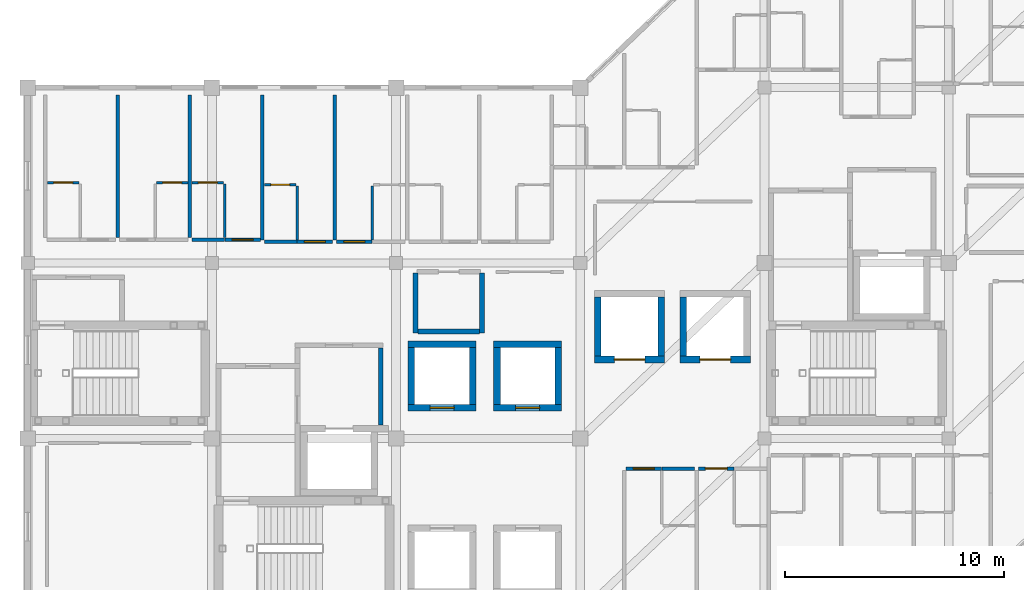
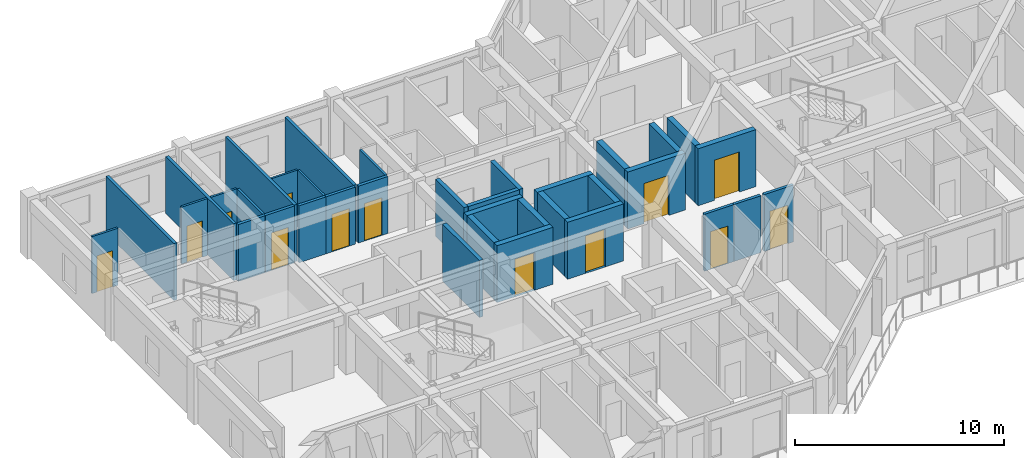
# One storey, part 7 of 15: 36 walls, 13 doors, 13 openings.
"""IFC4 building model written with IfcOpenShell, lengths in metres."""

from ifc_helpers import new_model, si_unit, direction, frame, frame_2d, origin, place, context, subcontext, project, spatial, rectangle, extrude, material, layer, layer_set, type_object, element, fill, save


model = new_model("IFC4")

# Units and contexts
model_context = context("Model", 3, precision=1e-05, world=origin(), true_north=direction((0.0, 1.0)))
body_context = subcontext(model_context, "Body", "Model", "MODEL_VIEW")
ifc_project = project(units=[si_unit("LENGTHUNIT", "METRE"), si_unit("AREAUNIT", "SQUARE_METRE"), si_unit("VOLUMEUNIT", "CUBIC_METRE"), si_unit("PLANEANGLEUNIT", "RADIAN"), si_unit("MASSUNIT", "GRAM", prefix="KILO")], contexts=[model_context])

# Site, building, storey
site_placement = place(None, origin())
site = spatial("IfcSite", under=ifc_project, at=site_placement, CompositionType="ELEMENT")
building_placement = place(site_placement, origin())
building = spatial("IfcBuilding", under=site, at=building_placement, Name="Naruveol Harbour Congress Hotel", CompositionType="ELEMENT")
storey_placement = place(building_placement, frame((0.0, 0.0, 32.39990234375)))
storey = spatial("IfcBuildingStorey", under=building, at=storey_placement, Name="L07", CompositionType="ELEMENT", Elevation=32.39990234375)

# Wall, opening, door
ifc_material_1 = material(Name="Moisture-Resistant Gypsum Partition", Category="gypsum")
ifc_layer_1 = layer(ifc_material_1, 0.114990234375)
ifc_layer_set_1 = layer_set([ifc_layer_1], Name="Moisture-Resistant Gypsum Partition")
wall_type_1 = type_object("IfcWallType", Name="BATHROOM MOISTURE PARTITION WALL 115", PredefinedType="PARTITIONING", material=ifc_layer_set_1)
wall_1_placement = place(storey_placement, frame((118.5, 27.669921875, 0.0), z_axis=(0.0, 0.0, 1.0), x_axis=(1.0, 0.0, 0.0)))
wall_1 = element("IfcWall", 1, at=wall_1_placement, inside=storey, type_object=wall_type_1, Name="Bathroom north wall 0804 PW-115", PredefinedType="PARTITIONING", context=body_context, shape_type="SweptSolid", body=[
    extrude(rectangle(XDim=1.429931640625, YDim=0.114990234375, at=frame_2d((0.71484375, 0.0))), origin(), (0.0, 0.0, 1.0), 3.335205078125),
])
opening_1_placement = place(wall_1_placement, frame((0.284912109375, 0.0, 0.0)))
opening_1 = element("IfcOpeningElement", 2, at=opening_1_placement, cuts=wall_1, Name="Opening BD-RM0804", PredefinedType="OPENING", context=body_context, shape_type="SweptSolid", body=[
    extrude(rectangle(XDim=0.860107421875, YDim=2.1201171875, at=frame_2d((0.43017578125, 1.06005859375))), frame((0.0, 0.0673828125, 0.0), z_axis=(0.0, -1.0, 0.0), x_axis=(1.0, 0.0, 0.0)), (0.0, 0.0, 1.0), 0.135009765625),
])
ifc_material_2 = material(Name="Timber & Steel Acoustic Leaf", Category="steel")
door_type_1 = type_object("IfcDoorType", Name="GUEST BATHROOM DOOR 860X2120", OperationType="NOTDEFINED", PredefinedType="DOOR", material=ifc_material_2)
door_1_placement = place(opening_1_placement, origin())
door_1 = element("IfcDoor", 3, at=door_1_placement, inside=storey, type_object=door_type_1, Name="Bathroom Door 0804", OperationType="SINGLE_SWING_RIGHT", OverallHeight=2.1201171875, OverallWidth=0.860107421875, PredefinedType="DOOR", context=body_context, shape_type="SweptSolid", body=[
    extrude(rectangle(XDim=0.860107421875, YDim=2.1201171875, at=frame_2d((0.43017578125, 1.06005859375))), frame((0.0, 0.02490234375, 0.0), z_axis=(0.0, -1.0, 0.0), x_axis=(1.0, 0.0, 0.0)), (0.0, 0.0, 1.0), 0.050048828125),
])
fill(opening_1, door_1)

wall_2_placement = place(storey_placement, frame((123.469970703125, 27.669921875, 0.0), z_axis=(0.0, 0.0, 1.0), x_axis=(1.0, 0.0, 0.0)))
wall_2 = element("IfcWall", 4, at=wall_2_placement, inside=storey, type_object=wall_type_1, Name="Bathroom north wall 0805 PW-115", PredefinedType="PARTITIONING", context=body_context, shape_type="SweptSolid", body=[
    extrude(rectangle(XDim=1.429931640625, YDim=0.114990234375, at=frame_2d((0.71484375, 0.0))), origin(), (0.0, 0.0, 1.0), 3.335205078125),
])
opening_2_placement = place(wall_2_placement, frame((0.284912109375, 0.0, 0.0)))
opening_2 = element("IfcOpeningElement", 5, at=opening_2_placement, cuts=wall_2, Name="Opening BD-RM0805", PredefinedType="OPENING", context=body_context, shape_type="SweptSolid", body=[
    extrude(rectangle(XDim=0.860107421875, YDim=2.1201171875, at=frame_2d((0.43017578125, 1.06005859375))), frame((0.0, 0.0673828125, 0.0), z_axis=(0.0, -1.0, 0.0), x_axis=(1.0, 0.0, 0.0)), (0.0, 0.0, 1.0), 0.135009765625),
])
door_2_placement = place(opening_2_placement, origin())
door_2 = element("IfcDoor", 6, at=door_2_placement, inside=storey, type_object=door_type_1, Name="Bathroom Door 0805", OperationType="SINGLE_SWING_RIGHT", OverallHeight=2.1201171875, OverallWidth=0.860107421875, PredefinedType="DOOR", context=body_context, shape_type="SweptSolid", body=[
    extrude(rectangle(XDim=0.860107421875, YDim=2.1201171875, at=frame_2d((0.43017578125, 1.06005859375))), frame((0.0, 0.02490234375, 0.0), z_axis=(0.0, -1.0, 0.0), x_axis=(1.0, 0.0, 0.0)), (0.0, 0.0, 1.0), 0.050048828125),
])
fill(opening_2, door_2)

# Wall
wall_3_placement = place(storey_placement, frame((126.590087890625, 25.159912109375, 0.0), z_axis=(0.0, 0.0, 1.0), x_axis=(0.0, 1.0, 0.0)))
element("IfcWall", 7, at=wall_3_placement, inside=storey, type_object=wall_type_1, Name="Bathroom east wall 0806 PW-115", PredefinedType="PARTITIONING", context=body_context, shape_type="SweptSolid", body=[
    extrude(rectangle(XDim=2.4501953125, YDim=0.114990234375, at=frame_2d((1.22509765625, 0.0))), origin(), (0.0, 0.0, 1.0), 3.335205078125),
])

# Wall, opening, door
wall_4_placement = place(storey_placement, frame((125.10009765625, 27.669921875, 0.0), z_axis=(0.0, 0.0, 1.0), x_axis=(1.0, 0.0, 0.0)))
wall_4 = element("IfcWall", 8, at=wall_4_placement, inside=storey, type_object=wall_type_1, Name="Bathroom north wall 0806 PW-115", PredefinedType="PARTITIONING", context=body_context, shape_type="SweptSolid", body=[
    extrude(rectangle(XDim=1.429931640625, YDim=0.114990234375, at=frame_2d((0.71484375, 0.0))), origin(), (0.0, 0.0, 1.0), 3.335205078125),
])
opening_3_placement = place(wall_4_placement, frame((0.284912109375, 0.0, 0.0)))
opening_3 = element("IfcOpeningElement", 9, at=opening_3_placement, cuts=wall_4, Name="Opening BD-RM0806", PredefinedType="OPENING", context=body_context, shape_type="SweptSolid", body=[
    extrude(rectangle(XDim=0.860107421875, YDim=2.1201171875, at=frame_2d((0.43017578125, 1.06005859375))), frame((0.0, 0.0673828125, 0.0), z_axis=(0.0, -1.0, 0.0), x_axis=(1.0, 0.0, 0.0)), (0.0, 0.0, 1.0), 0.135009765625),
])
door_3_placement = place(opening_3_placement, origin())
door_3 = element("IfcDoor", 10, at=door_3_placement, inside=storey, type_object=door_type_1, Name="Bathroom Door 0806", OperationType="SINGLE_SWING_RIGHT", OverallHeight=2.1201171875, OverallWidth=0.860107421875, PredefinedType="DOOR", context=body_context, shape_type="SweptSolid", body=[
    extrude(rectangle(XDim=0.860107421875, YDim=2.1201171875, at=frame_2d((0.43017578125, 1.06005859375))), frame((0.0, 0.02490234375, 0.0), z_axis=(0.0, -1.0, 0.0), x_axis=(1.0, 0.0, 0.0)), (0.0, 0.0, 1.0), 0.050048828125),
])
fill(opening_3, door_3)

# Wall
wall_5_placement = place(storey_placement, frame((129.889892578125, 25.06005859375, 0.0), z_axis=(0.0, 0.0, 1.0), x_axis=(0.0, 1.0, 0.0)))
element("IfcWall", 11, at=wall_5_placement, inside=storey, type_object=wall_type_1, Name="Bathroom east wall 0807 PW-115", PredefinedType="PARTITIONING", context=body_context, shape_type="SweptSolid", body=[
    extrude(rectangle(XDim=2.449951171875, YDim=0.114990234375, at=frame_2d((1.22509765625, 0.0))), origin(), (0.0, 0.0, 1.0), 3.335205078125),
])

# Wall, opening, door
wall_6_placement = place(storey_placement, frame((128.39990234375, 27.570068359375, 0.0), z_axis=(0.0, 0.0, 1.0), x_axis=(1.0, 0.0, 0.0)))
wall_6 = element("IfcWall", 12, at=wall_6_placement, inside=storey, type_object=wall_type_1, Name="Bathroom north wall 0807 PW-115", PredefinedType="PARTITIONING", context=body_context, shape_type="SweptSolid", body=[
    extrude(rectangle(XDim=1.43017578125, YDim=0.114990234375, at=frame_2d((0.715087890625, 0.0))), origin(), (0.0, 0.0, 1.0), 3.335205078125),
])
opening_4_placement = place(wall_6_placement, frame((0.284912109375, 0.0, 0.0)))
opening_4 = element("IfcOpeningElement", 13, at=opening_4_placement, cuts=wall_6, Name="Opening BD-RM0807", PredefinedType="OPENING", context=body_context, shape_type="SweptSolid", body=[
    extrude(rectangle(XDim=0.860107421875, YDim=2.1201171875, at=frame_2d((0.43017578125, 1.06005859375))), frame((0.0, 0.0673828125, 0.0), z_axis=(0.0, -1.0, 0.0), x_axis=(1.0, 0.0, 0.0)), (0.0, 0.0, 1.0), 0.135009765625),
])
door_4_placement = place(opening_4_placement, origin())
door_4 = element("IfcDoor", 14, at=door_4_placement, inside=storey, type_object=door_type_1, Name="Bathroom Door 0807", OperationType="SINGLE_SWING_RIGHT", OverallHeight=2.1201171875, OverallWidth=0.860107421875, PredefinedType="DOOR", context=body_context, shape_type="SweptSolid", body=[
    extrude(rectangle(XDim=0.860107421875, YDim=2.1201171875, at=frame_2d((0.43017578125, 1.06005859375))), frame((0.0, 0.02490234375, 0.0), z_axis=(0.0, -1.0, 0.0), x_axis=(1.0, 0.0, 0.0)), (0.0, 0.0, 1.0), 0.050048828125),
])
fill(opening_4, door_4)

# Walls
wall_7_placement = place(storey_placement, frame((133.31005859375, 25.06005859375, 0.0), z_axis=(0.0, 0.0, 1.0), x_axis=(0.0, 1.0, 0.0)))
element("IfcWall", 15, at=wall_7_placement, inside=storey, type_object=wall_type_1, Name="Bathroom west wall 0808 PW-115", PredefinedType="PARTITIONING", context=body_context, shape_type="SweptSolid", body=[
    extrude(rectangle(XDim=2.449951171875, YDim=0.114990234375, at=frame_2d((1.22509765625, 0.0))), origin(), (0.0, 0.0, 1.0), 3.335205078125),
])
ifc_material_3 = material(Name="Concrete C40/50", Category="concrete")
ifc_layer_2 = layer(ifc_material_3, 0.219970703125)
ifc_layer_set_2 = layer_set([ifc_layer_2], Name="Concrete C40/50")
wall_type_2 = type_object("IfcWallType", Name="FIRE COMPARTMENT AND LOBBY WALL 220 EI120", PredefinedType="PARTITIONING", material=ifc_layer_set_2)
wall_8_placement = place(storey_placement, frame((133.699951171875, 16.60498046875, 0.0), z_axis=(0.0, 0.0, 1.0), x_axis=(0.0, 1.0, 0.0)))
element("IfcWall", 16, at=wall_8_placement, inside=storey, type_object=wall_type_2, Name="Firefighting lift lobby ST1 east wall FW-220", PredefinedType="PARTITIONING", context=body_context, shape_type="SweptSolid", body=[
    extrude(rectangle(XDim=3.530029296875, YDim=0.219970703125, at=frame_2d((1.76513671875, 0.0))), origin(), (0.0, 0.0, 1.0), 3.335205078125),
])
for number, where, z_axis, x_axis, name in (
    (17, (135.280029296875, 20.800048828125, 0.0), (0.0, 0.0, 1.0), (0.0, 1.0, 0.0), "Housekeeping Pantry west enclosure partition FW-220"),
    (18, (138.320068359375, 20.800048828125, 0.0), (0.0, 0.0, 1.0), (0.0, 1.0, 0.0), "Housekeeping Pantry east enclosure partition FW-220"),
):
    element("IfcWall", number, at=place(storey_placement, frame(where, z_axis=z_axis, x_axis=x_axis)), inside=storey, type_object=wall_type_2, Name=name, PredefinedType="PARTITIONING", context=body_context, shape_type="SweptSolid", body=[
        extrude(rectangle(XDim=2.748046875, YDim=0.219970703125, at=frame_2d((1.3740234375, 0.0))), origin(), (0.0, 0.0, 1.0), 3.335205078125),
    ])
wall_9_placement = place(storey_placement, frame((135.389892578125, 20.8798828125, 0.0), z_axis=(0.0, 0.0, 1.0), x_axis=(1.0, 0.0, 0.0)))
element("IfcWall", 19, at=wall_9_placement, inside=storey, type_object=wall_type_2, Name="Housekeeping Pantry south enclosure partition FW-220", PredefinedType="PARTITIONING", context=body_context, shape_type="SweptSolid", body=[
    extrude(rectangle(XDim=2.820068359375, YDim=0.219970703125, at=frame_2d((1.41015625, 0.0))), origin(), (0.0, 0.0, 1.0), 3.335205078125),
])
ifc_material_4 = material(Name="Autoclaved Aerated Concrete Block", Category="concrete")
ifc_layer_3 = layer(ifc_material_4, 0.159912109375)
ifc_layer_set_3 = layer_set([ifc_layer_3], Name="Autoclaved Aerated Concrete Block")
wall_type_3 = type_object("IfcWallType", Name="HOTEL PARTY AND CORRIDOR WALL 160 EI60", PredefinedType="PARTITIONING", material=ifc_layer_set_3)
wall_10_placement = place(storey_placement, frame((121.699951171875, 25.159912109375, 0.0), z_axis=(0.0, 0.0, 1.0), x_axis=(0.0, 1.0, 0.0)))
element("IfcWall", 20, at=wall_10_placement, inside=storey, type_object=wall_type_3, Name="Hotel party wall 0805 PW-160", PredefinedType="PARTITIONING", context=body_context, shape_type="SweptSolid", body=[
    extrude(rectangle(XDim=6.5, YDim=0.159912109375, at=frame_2d((3.25, 0.0))), origin(), (0.0, 0.0, 1.0), 3.335205078125),
])
wall_11_placement = place(storey_placement, frame((125.090087890625, 25.070068359375, 0.0), z_axis=(0.0, 0.0, 1.0), x_axis=(1.0, 0.0, 0.0)))
element("IfcWall", 21, at=wall_11_placement, inside=storey, type_object=wall_type_3, Name="Corridor wall 0806B PW-160", PredefinedType="PARTITIONING", context=body_context, shape_type="SweptSolid", body=[
    extrude(rectangle(XDim=1.489990234375, YDim=0.159912109375, at=frame_2d((0.7451171875, 0.0))), origin(), (0.0, 0.0, 1.0), 3.335205078125),
])

# Wall, opening, door
wall_12_placement = place(storey_placement, frame((126.590087890625, 25.070068359375, 0.0), z_axis=(0.0, 0.0, 1.0), x_axis=(1.0, 0.0, 0.0)))
wall_12 = element("IfcWall", 22, at=wall_12_placement, inside=storey, type_object=wall_type_3, Name="Corridor entry wall 0806 PW-160", PredefinedType="PARTITIONING", context=body_context, shape_type="SweptSolid", body=[
    extrude(rectangle(XDim=1.619873046875, YDim=0.159912109375, at=frame_2d((0.81005859375, 0.0))), origin(), (0.0, 0.0, 1.0), 3.335205078125),
])
opening_5_placement = place(wall_12_placement, frame((0.330078125, 0.0, 0.0)))
opening_5 = element("IfcOpeningElement", 23, at=opening_5_placement, cuts=wall_12, Name="Opening FD-RM0806", PredefinedType="OPENING", context=body_context, shape_type="SweptSolid", body=[
    extrude(rectangle(XDim=0.9599609375, YDim=2.199951171875, at=frame_2d((0.47998046875, 1.10009765625))), frame((0.0, 0.08984375, 0.0), z_axis=(0.0, -1.0, 0.0), x_axis=(1.0, 0.0, 0.0)), (0.0, 0.0, 1.0), 0.179931640625),
])
ifc_material_5 = material(Name="Timber & Steel Acoustic Leaf", Category="steel")
door_type_2 = type_object("IfcDoorType", Name="GUEST ROOM ENTRANCE FIRE DOOR 960X2200", OperationType="NOTDEFINED", PredefinedType="DOOR", material=ifc_material_5)
door_5_placement = place(opening_5_placement, origin())
door_5 = element("IfcDoor", 24, at=door_5_placement, inside=storey, type_object=door_type_2, Name="Hotel Room Door 0806", OperationType="SINGLE_SWING_LEFT", OverallHeight=2.199951171875, OverallWidth=0.9599609375, PredefinedType="DOOR", context=body_context, shape_type="SweptSolid", body=[
    extrude(rectangle(XDim=0.9599609375, YDim=2.199951171875, at=frame_2d((0.47998046875, 1.10009765625))), frame((0.0, 0.02490234375, 0.0), z_axis=(0.0, -1.0, 0.0), x_axis=(1.0, 0.0, 0.0)), (0.0, 0.0, 1.0), 0.050048828125),
])
fill(opening_5, door_5)

# Walls
wall_13_placement = place(storey_placement, frame((125.0, 25.159912109375, 0.0), z_axis=(0.0, 0.0, 1.0), x_axis=(0.0, 1.0, 0.0)))
element("IfcWall", 25, at=wall_13_placement, inside=storey, type_object=wall_type_3, Name="Hotel party wall 0806 PW-160", PredefinedType="PARTITIONING", context=body_context, shape_type="SweptSolid", body=[
    extrude(rectangle(XDim=6.5, YDim=0.159912109375, at=frame_2d((3.25, 0.0))), origin(), (0.0, 0.0, 1.0), 3.335205078125),
])
wall_14_placement = place(storey_placement, frame((128.389892578125, 24.969970703125, 0.0), z_axis=(0.0, 0.0, 1.0), x_axis=(1.0, 0.0, 0.0)))
element("IfcWall", 26, at=wall_14_placement, inside=storey, type_object=wall_type_3, Name="Corridor wall 0807B PW-160", PredefinedType="PARTITIONING", context=body_context, shape_type="SweptSolid", body=[
    extrude(rectangle(XDim=1.489990234375, YDim=0.159912109375, at=frame_2d((0.7451171875, 0.0))), origin(), (0.0, 0.0, 1.0), 3.335205078125),
])

# Wall, opening, door
wall_15_placement = place(storey_placement, frame((129.889892578125, 24.969970703125, 0.0), z_axis=(0.0, 0.0, 1.0), x_axis=(1.0, 0.0, 0.0)))
wall_15 = element("IfcWall", 27, at=wall_15_placement, inside=storey, type_object=wall_type_3, Name="Corridor entry wall 0807 PW-160", PredefinedType="PARTITIONING", context=body_context, shape_type="SweptSolid", body=[
    extrude(rectangle(XDim=1.6201171875, YDim=0.159912109375, at=frame_2d((0.81005859375, 0.0))), origin(), (0.0, 0.0, 1.0), 3.335205078125),
])
opening_6_placement = place(wall_15_placement, frame((0.330078125, 0.0, 0.0)))
opening_6 = element("IfcOpeningElement", 28, at=opening_6_placement, cuts=wall_15, Name="Opening FD-RM0807", PredefinedType="OPENING", context=body_context, shape_type="SweptSolid", body=[
    extrude(rectangle(XDim=0.9599609375, YDim=2.199951171875, at=frame_2d((0.47998046875, 1.10009765625))), frame((0.0, 0.08984375, 0.0), z_axis=(0.0, -1.0, 0.0), x_axis=(1.0, 0.0, 0.0)), (0.0, 0.0, 1.0), 0.179931640625),
])
door_6_placement = place(opening_6_placement, origin())
door_6 = element("IfcDoor", 29, at=door_6_placement, inside=storey, type_object=door_type_2, Name="Hotel Room Door 0807", OperationType="SINGLE_SWING_LEFT", OverallHeight=2.199951171875, OverallWidth=0.9599609375, PredefinedType="DOOR", context=body_context, shape_type="SweptSolid", body=[
    extrude(rectangle(XDim=0.9599609375, YDim=2.199951171875, at=frame_2d((0.47998046875, 1.10009765625))), frame((0.0, 0.02490234375, 0.0), z_axis=(0.0, -1.0, 0.0), x_axis=(1.0, 0.0, 0.0)), (0.0, 0.0, 1.0), 0.050048828125),
])
fill(opening_6, door_6)

# Wall
wall_16_placement = place(storey_placement, frame((128.300048828125, 25.06005859375, 0.0), z_axis=(0.0, 0.0, 1.0), x_axis=(0.0, 1.0, 0.0)))
element("IfcWall", 30, at=wall_16_placement, inside=storey, type_object=wall_type_3, Name="Hotel party wall 0807 PW-160", PredefinedType="PARTITIONING", context=body_context, shape_type="SweptSolid", body=[
    extrude(rectangle(XDim=6.599853515625, YDim=0.159912109375, at=frame_2d((3.2998046875, 0.0))), origin(), (0.0, 0.0, 1.0), 3.335205078125),
])

# Wall, opening, door
wall_17_placement = place(storey_placement, frame((131.68994140625, 24.969970703125, 0.0), z_axis=(0.0, 0.0, 1.0), x_axis=(1.0, 0.0, 0.0)))
wall_17 = element("IfcWall", 31, at=wall_17_placement, inside=storey, type_object=wall_type_3, Name="Corridor entry wall 0808 PW-160", PredefinedType="PARTITIONING", context=body_context, shape_type="SweptSolid", body=[
    extrude(rectangle(XDim=1.6201171875, YDim=0.159912109375, at=frame_2d((0.81005859375, 0.0))), origin(), (0.0, 0.0, 1.0), 3.335205078125),
])
opening_7_placement = place(wall_17_placement, frame((0.330078125, 0.0, 0.0)))
opening_7 = element("IfcOpeningElement", 32, at=opening_7_placement, cuts=wall_17, Name="Opening FD-RM0808", PredefinedType="OPENING", context=body_context, shape_type="SweptSolid", body=[
    extrude(rectangle(XDim=0.9599609375, YDim=2.199951171875, at=frame_2d((0.47998046875, 1.10009765625))), frame((0.0, 0.08984375, 0.0), z_axis=(0.0, -1.0, 0.0), x_axis=(1.0, 0.0, 0.0)), (0.0, 0.0, 1.0), 0.179931640625),
])
door_7_placement = place(opening_7_placement, origin())
door_7 = element("IfcDoor", 33, at=door_7_placement, inside=storey, type_object=door_type_2, Name="Hotel Room Door 0808", OperationType="SINGLE_SWING_LEFT", OverallHeight=2.199951171875, OverallWidth=0.9599609375, PredefinedType="DOOR", context=body_context, shape_type="SweptSolid", body=[
    extrude(rectangle(XDim=0.9599609375, YDim=2.199951171875, at=frame_2d((0.47998046875, 1.10009765625))), frame((0.0, 0.02490234375, 0.0), z_axis=(0.0, -1.0, 0.0), x_axis=(1.0, 0.0, 0.0)), (0.0, 0.0, 1.0), 0.050048828125),
])
fill(opening_7, door_7)

# Wall
wall_18_placement = place(storey_placement, frame((131.60009765625, 25.06005859375, 0.0), z_axis=(0.0, 0.0, 1.0), x_axis=(0.0, 1.0, 0.0)))
element("IfcWall", 34, at=wall_18_placement, inside=storey, type_object=wall_type_3, Name="Hotel party wall 0808 PW-160", PredefinedType="PARTITIONING", context=body_context, shape_type="SweptSolid", body=[
    extrude(rectangle(XDim=6.599853515625, YDim=0.159912109375, at=frame_2d((3.2998046875, 0.0))), origin(), (0.0, 0.0, 1.0), 3.335205078125),
])

# Wall, opening, door
wall_19_placement = place(storey_placement, frame((144.889892578125, 14.6298828125, 0.0), z_axis=(0.0, 0.0, 1.0), x_axis=(1.0, 0.0, 0.0)))
wall_19 = element("IfcWall", 35, at=wall_19_placement, inside=storey, type_object=wall_type_3, Name="Corridor entry wall 0895 PW-160", PredefinedType="PARTITIONING", context=body_context, shape_type="SweptSolid", body=[
    extrude(rectangle(XDim=1.6201171875, YDim=0.159912109375, at=frame_2d((0.81005859375, 0.0))), origin(), (0.0, 0.0, 1.0), 3.335205078125),
])
opening_8_placement = place(wall_19_placement, frame((0.330078125, 0.0, 0.0)))
opening_8 = element("IfcOpeningElement", 36, at=opening_8_placement, cuts=wall_19, Name="Opening FD-RM0895", PredefinedType="OPENING", context=body_context, shape_type="SweptSolid", body=[
    extrude(rectangle(XDim=0.9599609375, YDim=2.199951171875, at=frame_2d((0.47998046875, 1.10009765625))), frame((0.0, 0.08984375, 0.0), z_axis=(0.0, -1.0, 0.0), x_axis=(1.0, 0.0, 0.0)), (0.0, 0.0, 1.0), 0.179931640625),
])
door_8_placement = place(opening_8_placement, origin())
door_8 = element("IfcDoor", 37, at=door_8_placement, inside=storey, type_object=door_type_2, Name="Hotel Room Door 0895", OperationType="SINGLE_SWING_LEFT", OverallHeight=2.199951171875, OverallWidth=0.9599609375, PredefinedType="DOOR", context=body_context, shape_type="SweptSolid", body=[
    extrude(rectangle(XDim=0.9599609375, YDim=2.199951171875, at=frame_2d((0.47998046875, 1.10009765625))), frame((0.0, 0.02490234375, 0.0), z_axis=(0.0, -1.0, 0.0), x_axis=(1.0, 0.0, 0.0)), (0.0, 0.0, 1.0), 0.050048828125),
])
fill(opening_8, door_8)

# Wall
wall_20_placement = place(storey_placement, frame((146.52001953125, 14.6298828125, 0.0), z_axis=(0.0, 0.0, 1.0), x_axis=(1.0, 0.0, 0.0)))
element("IfcWall", 38, at=wall_20_placement, inside=storey, type_object=wall_type_3, Name="Corridor wall 0895B PW-160", PredefinedType="PARTITIONING", context=body_context, shape_type="SweptSolid", body=[
    extrude(rectangle(XDim=1.489990234375, YDim=0.159912109375, at=frame_2d((0.7451171875, 0.0))), origin(), (0.0, 0.0, 1.0), 3.335205078125),
])

# Wall, opening, door
wall_21_placement = place(storey_placement, frame((148.18994140625, 14.6298828125, 0.0), z_axis=(0.0, 0.0, 1.0), x_axis=(1.0, 0.0, 0.0)))
wall_21 = element("IfcWall", 39, at=wall_21_placement, inside=storey, type_object=wall_type_3, Name="Corridor entry wall 0896 PW-160", PredefinedType="PARTITIONING", context=body_context, shape_type="SweptSolid", body=[
    extrude(rectangle(XDim=1.6201171875, YDim=0.159912109375, at=frame_2d((0.81005859375, 0.0))), origin(), (0.0, 0.0, 1.0), 3.335205078125),
])
opening_9_placement = place(wall_21_placement, frame((0.31005859375, 0.0, 0.0)))
opening_9 = element("IfcOpeningElement", 40, at=opening_9_placement, cuts=wall_21, Name="Opening FD-RM0896", PredefinedType="OPENING", context=body_context, shape_type="SweptSolid", body=[
    extrude(rectangle(XDim=1.0, YDim=2.25, at=frame_2d((0.5, 1.125))), frame((0.0, 0.08984375, 0.0), z_axis=(0.0, -1.0, 0.0), x_axis=(1.0, 0.0, 0.0)), (0.0, 0.0, 1.0), 0.179931640625),
])
ifc_material_6 = material(Name="Timber & Steel Acoustic Leaf", Category="steel")
door_type_3 = type_object("IfcDoorType", Name="DELUXE GUEST ENTRANCE FIRE DOOR 1000X2250", OperationType="NOTDEFINED", PredefinedType="DOOR", material=ifc_material_6)
door_9_placement = place(opening_9_placement, origin())
door_9 = element("IfcDoor", 41, at=door_9_placement, inside=storey, type_object=door_type_3, Name="Hotel Room Door 0896", OperationType="SINGLE_SWING_LEFT", OverallHeight=2.25, OverallWidth=1.0, PredefinedType="DOOR", context=body_context, shape_type="SweptSolid", body=[
    extrude(rectangle(XDim=1.0, YDim=2.25, at=frame_2d((0.5, 1.125))), frame((0.0, 0.02490234375, 0.0), z_axis=(0.0, -1.0, 0.0), x_axis=(1.0, 0.0, 0.0)), (0.0, 0.0, 1.0), 0.050048828125),
])
fill(opening_9, door_9)

ifc_material_7 = material(Name="Concrete C50/60", Category="concrete")
ifc_layer_4 = layer(ifc_material_7, 0.300048828125)
ifc_layer_set_4 = layer_set([ifc_layer_4], Name="Concrete C50/60")
wall_type_4 = type_object("IfcWallType", Name="RC STAIR AND HOISTWAY SHEAR WALL 300 EI120", PredefinedType="SHEAR", material=ifc_layer_set_4)
wall_22_placement = place(storey_placement, frame((134.949951171875, 17.39990234375, 0.0), z_axis=(0.0, 0.0, 1.0), x_axis=(1.0, 0.0, 0.0)))
wall_22 = element("IfcWall", 42, at=wall_22_placement, inside=storey, type_object=wall_type_4, Name="Hoistway south shear wall PL1 SW-300", PredefinedType="SHEAR", context=body_context, shape_type="SweptSolid", body=[
    extrude(rectangle(XDim=3.10009765625, YDim=0.300048828125, at=frame_2d((1.550048828125, 0.0))), origin(), (0.0, 0.0, 1.0), 3.335205078125),
])
opening_10_placement = place(wall_22_placement, frame((1.0, 0.0, 0.0)))
opening_10 = element("IfcOpeningElement", 43, at=opening_10_placement, cuts=wall_22, Name="Opening LD-PL1-L07", PredefinedType="OPENING", context=body_context, shape_type="SweptSolid", body=[
    extrude(rectangle(XDim=1.10009765625, YDim=2.199951171875, at=frame_2d((0.550048828125, 1.10009765625))), frame((0.0, 0.159912109375, 0.0), z_axis=(0.0, -1.0, 0.0), x_axis=(1.0, 0.0, 0.0)), (0.0, 0.0, 1.0), 0.320068359375),
])
ifc_material_8 = material(Name="Stainless Steel Lift Door", Category="steel")
door_type_4 = type_object("IfcDoorType", Name="PASSENGER LIFT LANDING DOOR 1100X2200", OperationType="DOUBLE_DOOR_SLIDING", PredefinedType="DOOR", material=ifc_material_8)
door_10_placement = place(opening_10_placement, origin())
door_10 = element("IfcDoor", 44, at=door_10_placement, inside=storey, type_object=door_type_4, Name="Elevator Landing Door PL1 L07", OperationType="DOUBLE_DOOR_SLIDING", OverallHeight=2.199951171875, OverallWidth=1.10009765625, PredefinedType="DOOR", context=body_context, shape_type="SweptSolid", body=[
    extrude(rectangle(XDim=1.10009765625, YDim=2.199951171875, at=frame_2d((0.550048828125, 1.10009765625))), frame((0.0, 0.02490234375, 0.0), z_axis=(0.0, -1.0, 0.0), x_axis=(1.0, 0.0, 0.0)), (0.0, 0.0, 1.0), 0.050048828125),
])
fill(opening_10, door_10)

# Walls
wall_23_placement = place(storey_placement, frame((137.89990234375, 17.554931640625, 0.0), z_axis=(0.0, 0.0, 1.0), x_axis=(0.0, 1.0, 0.0)))
element("IfcWall", 45, at=wall_23_placement, inside=storey, type_object=wall_type_4, Name="Hoistway east shear wall PL1 SW-300", PredefinedType="SHEAR", context=body_context, shape_type="SweptSolid", body=[
    extrude(rectangle(XDim=2.590087890625, YDim=0.300048828125, at=frame_2d((1.294921875, 0.0))), origin(), (0.0, 0.0, 1.0), 3.335205078125),
])
wall_24_placement = place(storey_placement, frame((138.050048828125, 20.300048828125, 0.0), z_axis=(0.0, 0.0, 1.0), x_axis=(-1.0, 0.0, 0.0)))
element("IfcWall", 46, at=wall_24_placement, inside=storey, type_object=wall_type_4, Name="Hoistway north shear wall PL1 SW-300", PredefinedType="SHEAR", context=body_context, shape_type="SweptSolid", body=[
    extrude(rectangle(XDim=3.10009765625, YDim=0.300048828125, at=frame_2d((1.550048828125, 0.0))), origin(), (0.0, 0.0, 1.0), 3.335205078125),
])
wall_25_placement = place(storey_placement, frame((135.10009765625, 20.14501953125, 0.0), z_axis=(0.0, 0.0, 1.0), x_axis=(0.0, -1.0, 0.0)))
element("IfcWall", 47, at=wall_25_placement, inside=storey, type_object=wall_type_4, Name="Hoistway west shear wall PL1 SW-300", PredefinedType="SHEAR", context=body_context, shape_type="SweptSolid", body=[
    extrude(rectangle(XDim=2.590087890625, YDim=0.300048828125, at=frame_2d((1.294921875, 0.0))), origin(), (0.0, 0.0, 1.0), 3.335205078125),
])

# Wall, opening, door
wall_26_placement = place(storey_placement, frame((138.85009765625, 17.39990234375, 0.0), z_axis=(0.0, 0.0, 1.0), x_axis=(1.0, 0.0, 0.0)))
wall_26 = element("IfcWall", 48, at=wall_26_placement, inside=storey, type_object=wall_type_4, Name="Hoistway south shear wall PL2 SW-300", PredefinedType="SHEAR", context=body_context, shape_type="SweptSolid", body=[
    extrude(rectangle(XDim=3.099853515625, YDim=0.300048828125, at=frame_2d((1.5498046875, 0.0))), origin(), (0.0, 0.0, 1.0), 3.335205078125),
])
opening_11_placement = place(wall_26_placement, frame((1.0, 0.0, 0.0)))
opening_11 = element("IfcOpeningElement", 49, at=opening_11_placement, cuts=wall_26, Name="Opening LD-PL2-L07", PredefinedType="OPENING", context=body_context, shape_type="SweptSolid", body=[
    extrude(rectangle(XDim=1.10009765625, YDim=2.199951171875, at=frame_2d((0.550048828125, 1.10009765625))), frame((0.0, 0.159912109375, 0.0), z_axis=(0.0, -1.0, 0.0), x_axis=(1.0, 0.0, 0.0)), (0.0, 0.0, 1.0), 0.320068359375),
])
door_11_placement = place(opening_11_placement, origin())
door_11 = element("IfcDoor", 50, at=door_11_placement, inside=storey, type_object=door_type_4, Name="Elevator Landing Door PL2 L07", OperationType="DOUBLE_DOOR_SLIDING", OverallHeight=2.199951171875, OverallWidth=1.10009765625, PredefinedType="DOOR", context=body_context, shape_type="SweptSolid", body=[
    extrude(rectangle(XDim=1.10009765625, YDim=2.199951171875, at=frame_2d((0.550048828125, 1.10009765625))), frame((0.0, 0.02490234375, 0.0), z_axis=(0.0, -1.0, 0.0), x_axis=(1.0, 0.0, 0.0)), (0.0, 0.0, 1.0), 0.050048828125),
])
fill(opening_11, door_11)

# Walls
wall_27_placement = place(storey_placement, frame((141.800048828125, 17.554931640625, 0.0), z_axis=(0.0, 0.0, 1.0), x_axis=(0.0, 1.0, 0.0)))
element("IfcWall", 51, at=wall_27_placement, inside=storey, type_object=wall_type_4, Name="Hoistway east shear wall PL2 SW-300", PredefinedType="SHEAR", context=body_context, shape_type="SweptSolid", body=[
    extrude(rectangle(XDim=2.590087890625, YDim=0.300048828125, at=frame_2d((1.294921875, 0.0))), origin(), (0.0, 0.0, 1.0), 3.335205078125),
])
wall_28_placement = place(storey_placement, frame((141.949951171875, 20.300048828125, 0.0), z_axis=(0.0, 0.0, 1.0), x_axis=(-1.0, 0.0, 0.0)))
element("IfcWall", 52, at=wall_28_placement, inside=storey, type_object=wall_type_4, Name="Hoistway north shear wall PL2 SW-300", PredefinedType="SHEAR", context=body_context, shape_type="SweptSolid", body=[
    extrude(rectangle(XDim=3.099853515625, YDim=0.300048828125, at=frame_2d((1.5498046875, 0.0))), origin(), (0.0, 0.0, 1.0), 3.335205078125),
])
wall_29_placement = place(storey_placement, frame((139.0, 20.14501953125, 0.0), z_axis=(0.0, 0.0, 1.0), x_axis=(0.0, -1.0, 0.0)))
element("IfcWall", 53, at=wall_29_placement, inside=storey, type_object=wall_type_4, Name="Hoistway west shear wall PL2 SW-300", PredefinedType="SHEAR", context=body_context, shape_type="SweptSolid", body=[
    extrude(rectangle(XDim=2.590087890625, YDim=0.300048828125, at=frame_2d((1.294921875, 0.0))), origin(), (0.0, 0.0, 1.0), 3.335205078125),
])

# Wall, opening, door
wall_30_placement = place(storey_placement, frame((143.449951171875, 19.60009765625, 0.0), z_axis=(0.0, 0.0, 1.0), x_axis=(1.0, 0.0, 0.0)))
wall_30 = element("IfcWall", 54, at=wall_30_placement, inside=storey, type_object=wall_type_4, Name="Hoistway south shear wall GL1 SW-300", PredefinedType="SHEAR", context=body_context, shape_type="SweptSolid", body=[
    extrude(rectangle(XDim=3.199951171875, YDim=0.300048828125, at=frame_2d((1.60009765625, 0.0))), origin(), (0.0, 0.0, 1.0), 3.335205078125),
])
opening_12_placement = place(wall_30_placement, frame((0.89990234375, 0.0, 0.0)))
opening_12 = element("IfcOpeningElement", 55, at=opening_12_placement, cuts=wall_30, Name="Opening LD-GL1-L07", PredefinedType="OPENING", context=body_context, shape_type="SweptSolid", body=[
    extrude(rectangle(XDim=1.39990234375, YDim=2.35009765625, at=frame_2d((0.699951171875, 1.175048828125))), frame((0.0, 0.159912109375, 0.0), z_axis=(0.0, -1.0, 0.0), x_axis=(1.0, 0.0, 0.0)), (0.0, 0.0, 1.0), 0.320068359375),
])
ifc_material_9 = material(Name="Stainless Steel Lift Door", Category="steel")
door_type_5 = type_object("IfcDoorType", Name="GOODS LIFT LANDING DOOR 1400X2350", OperationType="DOUBLE_DOOR_SLIDING", PredefinedType="DOOR", material=ifc_material_9)
door_12_placement = place(opening_12_placement, origin())
door_12 = element("IfcDoor", 56, at=door_12_placement, inside=storey, type_object=door_type_5, Name="Elevator Landing Door GL1 L07", OperationType="DOUBLE_DOOR_SLIDING", OverallHeight=2.35009765625, OverallWidth=1.39990234375, PredefinedType="DOOR", context=body_context, shape_type="SweptSolid", body=[
    extrude(rectangle(XDim=1.39990234375, YDim=2.35009765625, at=frame_2d((0.699951171875, 1.175048828125))), frame((0.0, 0.02490234375, 0.0), z_axis=(0.0, -1.0, 0.0), x_axis=(1.0, 0.0, 0.0)), (0.0, 0.0, 1.0), 0.050048828125),
])
fill(opening_12, door_12)

# Walls
for number, where, z_axis, x_axis, name in (
    (57, (146.5, 19.7548828125, 0.0), (0.0, 0.0, 1.0), (0.0, 1.0, 0.0), "Hoistway east shear wall GL1 SW-300"),
    (58, (143.60009765625, 22.445068359375, 0.0), (0.0, 0.0, 1.0), (0.0, -1.0, 0.0), "Hoistway west shear wall GL1 SW-300"),
):
    element("IfcWall", number, at=place(storey_placement, frame(where, z_axis=z_axis, x_axis=x_axis)), inside=storey, type_object=wall_type_4, Name=name, PredefinedType="SHEAR", context=body_context, shape_type="SweptSolid", body=[
        extrude(rectangle(XDim=2.690185546875, YDim=0.300048828125, at=frame_2d((1.34521484375, 0.0))), origin(), (0.0, 0.0, 1.0), 3.335205078125),
    ])

# Wall, opening, door
wall_31_placement = place(storey_placement, frame((147.35009765625, 19.60009765625, 0.0), z_axis=(0.0, 0.0, 1.0), x_axis=(1.0, 0.0, 0.0)))
wall_31 = element("IfcWall", 59, at=wall_31_placement, inside=storey, type_object=wall_type_4, Name="Hoistway south shear wall GL2 SW-300", PredefinedType="SHEAR", context=body_context, shape_type="SweptSolid", body=[
    extrude(rectangle(XDim=3.199951171875, YDim=0.300048828125, at=frame_2d((1.60009765625, 0.0))), origin(), (0.0, 0.0, 1.0), 3.335205078125),
])
opening_13_placement = place(wall_31_placement, frame((0.89990234375, 0.0, 0.0)))
opening_13 = element("IfcOpeningElement", 60, at=opening_13_placement, cuts=wall_31, Name="Opening LD-GL2-L07", PredefinedType="OPENING", context=body_context, shape_type="SweptSolid", body=[
    extrude(rectangle(XDim=1.39990234375, YDim=2.35009765625, at=frame_2d((0.699951171875, 1.175048828125))), frame((0.0, 0.159912109375, 0.0), z_axis=(0.0, -1.0, 0.0), x_axis=(1.0, 0.0, 0.0)), (0.0, 0.0, 1.0), 0.320068359375),
])
door_13_placement = place(opening_13_placement, origin())
door_13 = element("IfcDoor", 61, at=door_13_placement, inside=storey, type_object=door_type_5, Name="Elevator Landing Door GL2 L07", OperationType="DOUBLE_DOOR_SLIDING", OverallHeight=2.35009765625, OverallWidth=1.39990234375, PredefinedType="DOOR", context=body_context, shape_type="SweptSolid", body=[
    extrude(rectangle(XDim=1.39990234375, YDim=2.35009765625, at=frame_2d((0.699951171875, 1.175048828125))), frame((0.0, 0.02490234375, 0.0), z_axis=(0.0, -1.0, 0.0), x_axis=(1.0, 0.0, 0.0)), (0.0, 0.0, 1.0), 0.050048828125),
])
fill(opening_13, door_13)

# Wall
wall_32_placement = place(storey_placement, frame((147.5, 22.445068359375, 0.0), z_axis=(0.0, 0.0, 1.0), x_axis=(0.0, -1.0, 0.0)))
element("IfcWall", 62, at=wall_32_placement, inside=storey, type_object=wall_type_4, Name="Hoistway west shear wall GL2 SW-300", PredefinedType="SHEAR", context=body_context, shape_type="SweptSolid", body=[
    extrude(rectangle(XDim=2.690185546875, YDim=0.300048828125, at=frame_2d((1.34521484375, 0.0))), origin(), (0.0, 0.0, 1.0), 3.335205078125),
])

save(model, "model.ifc")
